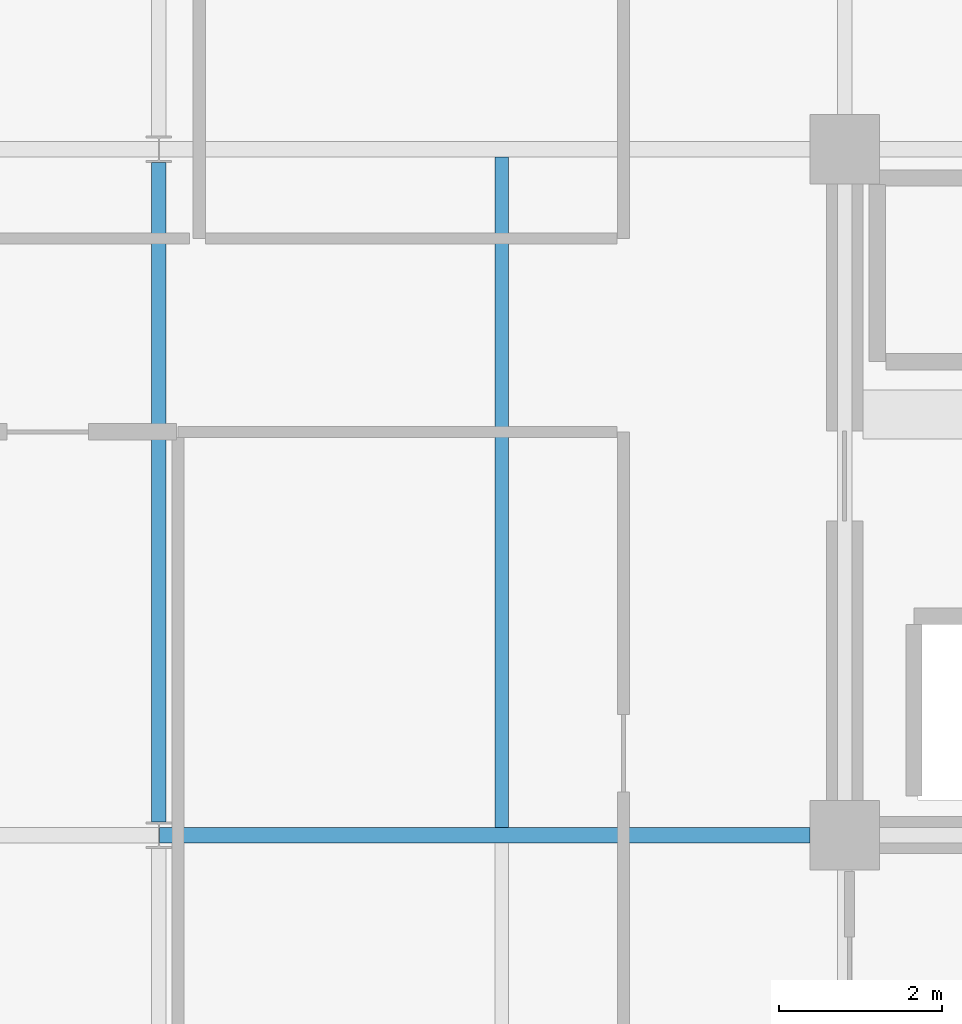
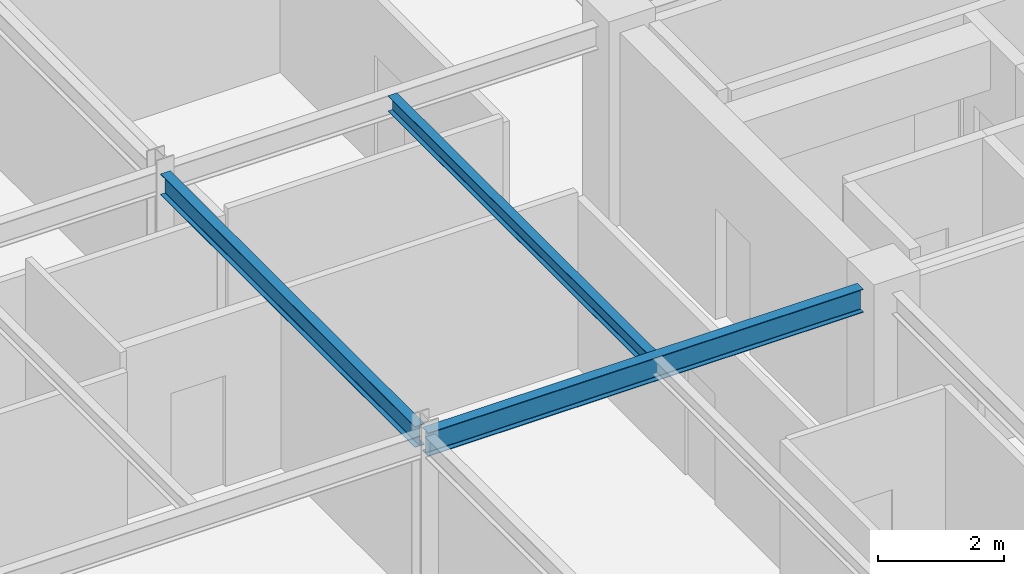
# One storey, part 6 of 25: 3 beams.
"""IFC4 building model written with IfcOpenShell, lengths in metres."""

from ifc_helpers import new_model, si_unit, direction, frame, origin, origin_2d, place, context, subcontext, project, spatial, i_section, extrude, material, material_profile, profile_set, type_object, element, save


model = new_model("IFC4")

# Units and contexts
model_context = context("Model", 3, precision=1e-05, world=origin(), true_north=direction((0.0, 1.0)))
body_context = subcontext(model_context, "Body", "Model", "MODEL_VIEW")
ifc_project = project(units=[si_unit("LENGTHUNIT", "METRE"), si_unit("AREAUNIT", "SQUARE_METRE"), si_unit("VOLUMEUNIT", "CUBIC_METRE"), si_unit("PLANEANGLEUNIT", "RADIAN"), si_unit("MASSUNIT", "GRAM", prefix="KILO")], contexts=[model_context])

# Site, building, storey
site_placement = place(None, origin())
site = spatial("IfcSite", under=ifc_project, at=site_placement, CompositionType="ELEMENT")
building_placement = place(site_placement, origin())
building = spatial("IfcBuilding", under=site, at=building_placement, Name="Nerrivon Quay Data Exchange", CompositionType="ELEMENT")
storey_placement = place(building_placement, frame((0.0, 0.0, 302.199951171875)))
storey = spatial("IfcBuildingStorey", under=building, at=storey_placement, Name="L72", CompositionType="ELEMENT", Elevation=302.199951171875)

# Beams
ifc_material = material(Name="Steel Grade 350", Category="steel")
ifc_material_profile_1 = material_profile(ifc_material, i_section(OverallWidth=0.18994140625, OverallDepth=0.4541015625, WebThickness=0.008544921875, FlangeThickness=0.0126953125, FilletRadius=0.011474609375, at=origin_2d()), Name="460UB67.1")
ifc_profile_set_1 = profile_set([ifc_material_profile_1], Name="Steel Grade 350")
beam_type_1 = type_object("IfcBeamType", Name="BM-G6-460UB67", PredefinedType="BEAM", material=ifc_profile_set_1)
beam_1_placement = place(storey_placement, frame((8.40771484375, 8.39990234375, 3.498046875), z_axis=(1.0, 0.0, 0.0), x_axis=(0.0, 1.0, 0.0)))
element("IfcBeam", 1, at=beam_1_placement, inside=storey, type_object=beam_type_1, Name="L72 EW Girder Y=8.4 (8.4..16.8)", PredefinedType="BEAM", context=body_context, shape_type="SweptSolid", body=[
    extrude(i_section(OverallWidth=0.18994140625, OverallDepth=0.4541015625, WebThickness=0.008544921875, FlangeThickness=0.0126953125, FilletRadius=0.011474609375, at=origin_2d()), origin(), (0.0, 0.0, 1.0), 7.96728515625),
])
ifc_material_profile_2 = material_profile(ifc_material, i_section(OverallWidth=0.177978515625, OverallDepth=0.406005859375, WebThickness=0.0078125, FlangeThickness=0.0126953125, FilletRadius=0.011474609375, at=origin_2d()), Name="410UB59.7")
ifc_profile_set_2 = profile_set([ifc_material_profile_2], Name="Steel Grade 350")
beam_type_2 = type_object("IfcBeamType", Name="BM-J1-410UB60", PredefinedType="JOIST", material=ifc_profile_set_2)
beam_2_placement = place(storey_placement, frame((8.39990234375, 8.5634765625, 3.52197265625), z_axis=(0.0, 1.0, 0.0), x_axis=(-1.0, 0.0, 0.0)))
element("IfcBeam", 2, at=beam_2_placement, inside=storey, type_object=beam_type_2, Name="L72 NS Girder X=8.4 (8.4..16.8)", PredefinedType="JOIST", context=body_context, shape_type="SweptSolid", body=[
    extrude(i_section(OverallWidth=0.177978515625, OverallDepth=0.406005859375, WebThickness=0.0078125, FlangeThickness=0.0126953125, FilletRadius=0.011474609375, at=origin_2d()), origin(), (0.0, 0.0, 1.0), 8.072998046875),
])
ifc_material_profile_3 = material_profile(ifc_material, i_section(OverallWidth=0.1650390625, OverallDepth=0.303955078125, WebThickness=0.006103515625, FlangeThickness=0.01025390625, FilletRadius=0.011474609375, at=origin_2d()), Name="310UB40.4")
ifc_profile_set_3 = profile_set([ifc_material_profile_3], Name="Steel Grade 350")
beam_type_3 = type_object("IfcBeamType", Name="BM-J6-310UB40", PredefinedType="JOIST", material=ifc_profile_set_3)
beam_3_placement = place(storey_placement, frame((12.60009765625, 8.4951171875, 3.572998046875), z_axis=(0.0, 1.0, 0.0), x_axis=(-1.0, 0.0, 0.0)))
element("IfcBeam", 3, at=beam_3_placement, inside=storey, type_object=beam_type_3, Name="L72 Secondary Joist X=12.6 (8.4..16.8)", PredefinedType="JOIST", context=body_context, shape_type="SweptSolid", body=[
    extrude(i_section(OverallWidth=0.1650390625, OverallDepth=0.303955078125, WebThickness=0.006103515625, FlangeThickness=0.01025390625, FilletRadius=0.011474609375, at=origin_2d()), origin(), (0.0, 0.0, 1.0), 8.2099609375),
])

save(model, "model.ifc")
